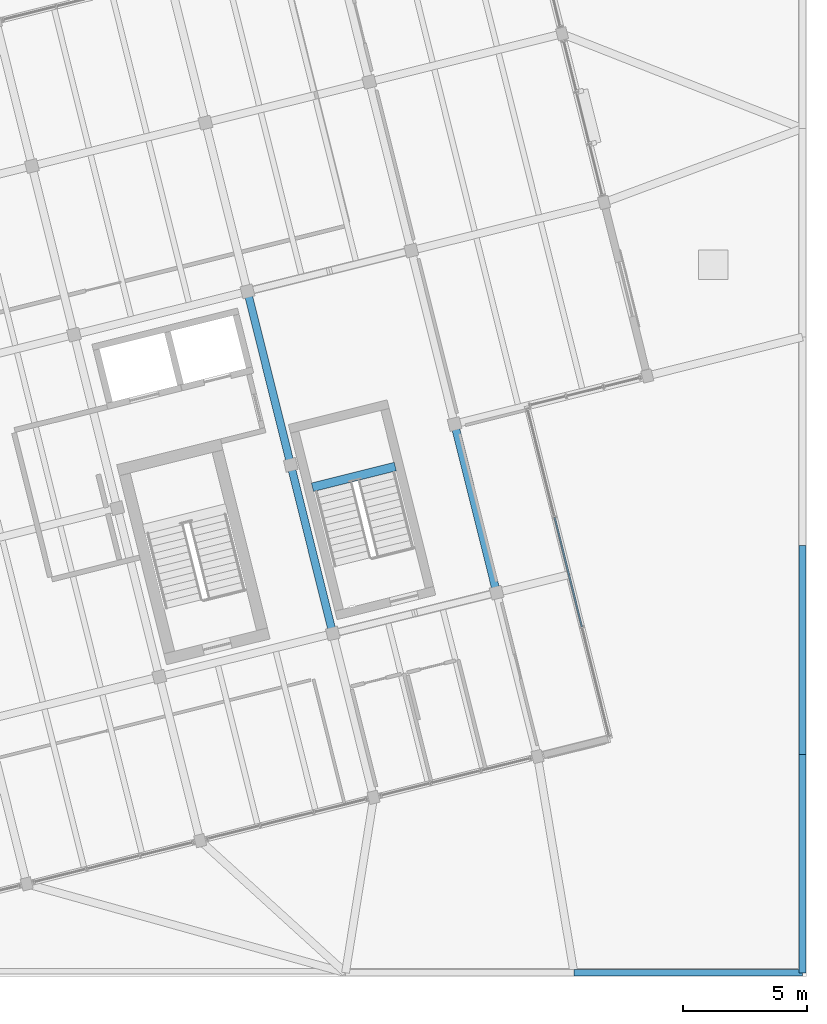
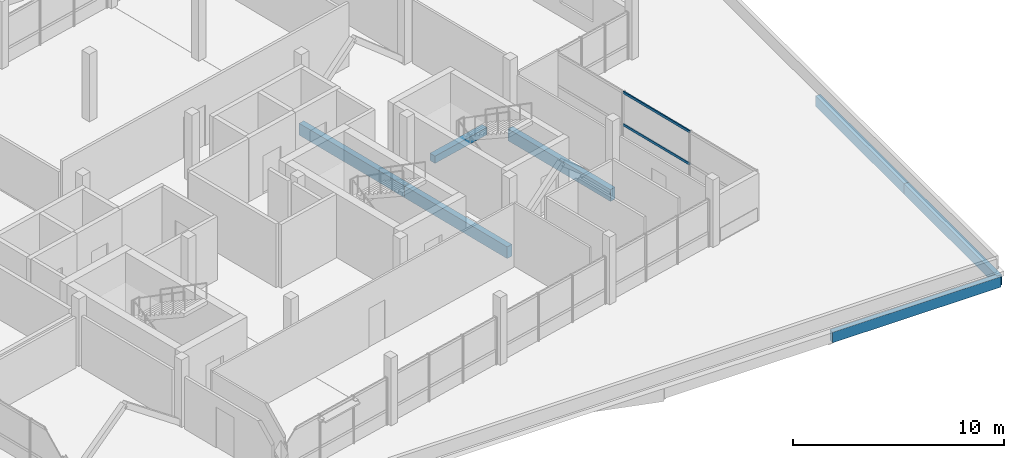
# One storey, part 15 of 37: 7 beams, 2 members, 1 element without a shape of its own.
"""IFC4 building model written with IfcOpenShell, lengths in metres."""

from ifc_helpers import new_model, si_unit, direction, frame, origin, origin_2d, place, context, subcontext, project, spatial, rectangle, hollow_rectangle, extrude, material, layer, layer_set, material_profile, profile_set, type_object, element, aggregate, save


model = new_model("IFC4")

# Units and contexts
model_context = context("Model", 3, precision=1e-05, world=origin(), true_north=direction((0.0, 1.0)))
body_context = subcontext(model_context, "Body", "Model", "MODEL_VIEW")
ifc_project = project(units=[si_unit("LENGTHUNIT", "METRE"), si_unit("AREAUNIT", "SQUARE_METRE"), si_unit("VOLUMEUNIT", "CUBIC_METRE"), si_unit("PLANEANGLEUNIT", "RADIAN"), si_unit("MASSUNIT", "GRAM", prefix="KILO")], contexts=[model_context])

# Site, building, storey
site_placement = place(None, origin())
site = spatial("IfcSite", under=ifc_project, at=site_placement, CompositionType="ELEMENT")
building_placement = place(site_placement, origin())
building = spatial("IfcBuilding", under=site, at=building_placement, Name="Meriwether Solvik Hall", CompositionType="ELEMENT")
storey_placement = place(building_placement, frame((0.0, 0.0, 26.10009765625)))
storey = spatial("IfcBuildingStorey", under=building, at=storey_placement, Name="L06", CompositionType="ELEMENT", Elevation=26.10009765625)

# Beams
ifc_material_1 = material(Name="Glulam Douglas-Fir 24F-V8 GL28h", Category="wood")
ifc_material_profile_1 = material_profile(ifc_material_1, rectangle(XDim=0.27294921875, YDim=0.610107421875, at=origin_2d()), Name="GLB-273X610")
ifc_profile_set_1 = profile_set([ifc_material_profile_1], Name="Glulam Douglas-Fir 24F-V8 GL28h")
beam_type_1 = type_object("IfcBeamType", Name="BM-GL-273X610", PredefinedType="SPANDREL", material=ifc_profile_set_1)
beam_1_placement = place(storey_placement, frame((105.0, 41.199951171875, -0.5751953125), z_axis=(1.0, 0.0, 0.0), x_axis=(0.0, 1.0, 0.0)))
element("IfcBeam", 1, at=beam_1_placement, inside=storey, type_object=beam_type_1, Name="Podium Girder E:12-13 (L06)", PredefinedType="SPANDREL", context=body_context, shape_type="SweptSolid", body=[
    extrude(rectangle(XDim=0.27294921875, YDim=0.610107421875, at=origin_2d()), origin(), (0.0, 0.0, 1.0), 9.199951171875),
])
beam_2_placement = place(storey_placement, frame((114.199951171875, 41.199951171875, -0.5751953125), z_axis=(0.0, 1.0, 0.0), x_axis=(-1.0, 0.0, 0.0)))
element("IfcBeam", 2, at=beam_2_placement, inside=storey, type_object=beam_type_1, Name="Podium Girder 13:E-F (L06)", PredefinedType="SPANDREL", context=body_context, shape_type="SweptSolid", body=[
    extrude(rectangle(XDim=0.27294921875, YDim=0.610107421875, at=origin_2d()), origin(), (0.0, 0.0, 1.0), 8.800048828125),
])
beam_3_placement = place(storey_placement, frame((114.199951171875, 50.0, -0.5751953125), z_axis=(0.0, 1.0, 0.0), x_axis=(-1.0, 0.0, 0.0)))
element("IfcBeam", 3, at=beam_3_placement, inside=storey, type_object=beam_type_1, Name="Podium Girder 13:F-G (L06)", PredefinedType="SPANDREL", context=body_context, shape_type="SweptSolid", body=[
    extrude(rectangle(XDim=0.27294921875, YDim=0.610107421875, at=origin_2d()), origin(), (0.0, 0.0, 1.0), 8.39990234375),
])
ifc_material_2 = material(Name="Glulam Douglas-Fir 24F-V8 GL28h", Category="wood")
ifc_material_profile_2 = material_profile(ifc_material_2, rectangle(XDim=0.31494140625, YDim=0.68505859375, at=origin_2d()), Name="GLB-315X685")
ifc_profile_set_2 = profile_set([ifc_material_profile_2], Name="Glulam Douglas-Fir 24F-V8 GL28h")
beam_type_2 = type_object("IfcBeamType", Name="BM-GL-315X685", PredefinedType="BEAM", material=ifc_profile_set_2)
beam_4_placement = place(storey_placement, frame((95.28759765625, 54.862060546875, -0.5625), z_axis=(-0.241936527961, 0.970292077901, 0.0), x_axis=(-0.970292077901, -0.241936527961, 0.0)))
element("IfcBeam", 4, at=beam_4_placement, inside=storey, type_object=beam_type_2, Name="Tower Girder T5:TB-TC (L06)", PredefinedType="BEAM", context=body_context, shape_type="SweptSolid", body=[
    extrude(rectangle(XDim=0.31494140625, YDim=0.68505859375, at=origin_2d()), origin(), (0.0, 0.0, 1.0), 7.000244140625),
])
beam_5_placement = place(storey_placement, frame((93.593994140625, 61.654296875, -0.5625), z_axis=(-0.241905269381, 0.970299871507, 0.0), x_axis=(-0.970299871507, -0.241905269381, 0.0)))
element("IfcBeam", 5, at=beam_5_placement, inside=storey, type_object=beam_type_2, Name="Tower Girder T5:TC-TD (L06)", PredefinedType="BEAM", context=body_context, shape_type="SweptSolid", body=[
    extrude(rectangle(XDim=0.31494140625, YDim=0.68505859375, at=origin_2d()), origin(), (0.0, 0.0, 1.0), 7.199951171875),
])
beam_6_placement = place(storey_placement, frame((101.885498046875, 56.507080078125, -0.5625), z_axis=(-0.241903692719, 0.970300264582, 0.0), x_axis=(-0.970300264582, -0.241903692719, 0.0)))
element("IfcBeam", 6, at=beam_6_placement, inside=storey, type_object=beam_type_2, Name="Tower Girder T6:TB-TC (L06)", PredefinedType="BEAM", context=body_context, shape_type="SweptSolid", body=[
    extrude(rectangle(XDim=0.31494140625, YDim=0.68505859375, at=origin_2d()), origin(), (0.0, 0.0, 1.0), 7.000244140625),
])
ifc_material_3 = material(Name="Concrete C40/50", Category="concrete")
ifc_material_profile_3 = material_profile(ifc_material_3, rectangle(XDim=0.35009765625, YDim=0.419921875, at=origin_2d()), Name="RCB-350X420")
ifc_profile_set_3 = profile_set([ifc_material_profile_3], Name="Concrete C40/50")
beam_type_3 = type_object("IfcBeamType", Name="BM-LND-RC-350X420", PredefinedType="BEAM", material=ifc_profile_set_3)
beam_7_placement = place(storey_placement, frame((94.4677734375, 60.75390625, 1.539794921875), z_axis=(0.970309259708, 0.2418676095, 0.0), x_axis=(-0.2418676095, 0.970309259708, 0.0)))
element("IfcBeam", 7, at=beam_7_placement, inside=storey, type_object=beam_type_3, Name="Stair ST-03 Half-Landing Header Beam (L06)", PredefinedType="BEAM", context=body_context, shape_type="SweptSolid", body=[
    extrude(rectangle(XDim=0.35009765625, YDim=0.419921875, at=origin_2d()), origin(), (0.0, 0.0, 1.0), 3.43994140625),
])

# Curtain wall, members
ifc_material_4 = material(Name="Thermally Broken Anodised Aluminium 6063-T6 and Low-E Glass", Category="aluminium")
ifc_layer = layer(ifc_material_4, 0.179931640625)
ifc_layer_set = layer_set([ifc_layer], Name="Thermally Broken Anodised Aluminium 6063-T6 and Low-E Glass")
curtain_wall_type = type_object("IfcCurtainWallType", Name="CW-UNIT-E", PredefinedType="USERDEFINED", material=ifc_layer_set)
curtain_wall_placement = place(storey_placement, origin())
curtain_wall = element("IfcCurtainWall", 8, at=curtain_wall_placement, inside=storey, type_object=curtain_wall_type, Name="Curtain Wall E1_B0 (L06)", ObjectType="UNITISED CURTAIN WALL", PredefinedType="USERDEFINED")
ifc_material_5 = material(Name="Anodised Aluminium 6063-T6", Category="aluminium")
ifc_material_profile_4 = material_profile(ifc_material_5, hollow_rectangle(XDim=0.06494140625, YDim=0.139892578125, WallThickness=0.00439453125, at=origin_2d()), Name="CWT-65X140")
ifc_profile_set_4 = profile_set([ifc_material_profile_4], Name="Anodised Aluminium 6063-T6")
member_type = type_object("IfcMemberType", Name="CW-TRN-65X140", PredefinedType="USERDEFINED", material=ifc_profile_set_4)
member_1_placement = place(storey_placement, frame((104.222412109375, 59.535888671875, 0.824951171875), z_axis=(0.241903847176, -0.970300226075, 0.0), x_axis=(0.970300226075, 0.241903847176, 0.0)))
member_1 = element("IfcMember", 9, at=member_1_placement, type_object=member_type, Name="Curtain Wall Transom 2-sill", ObjectType="TRANSOM", PredefinedType="USERDEFINED", context=body_context, shape_type="SweptSolid", body=[
    extrude(hollow_rectangle(XDim=0.06494140625, YDim=0.139892578125, WallThickness=0.00439453125, at=origin_2d()), origin(), (0.0, 0.0, 1.0), 4.546630859375),
])
member_2_placement = place(storey_placement, frame((104.222412109375, 59.535888671875, 2.68994140625), z_axis=(0.241903847176, -0.970300226075, 0.0), x_axis=(0.970300226075, 0.241903847176, 0.0)))
member_2 = element("IfcMember", 10, at=member_2_placement, type_object=member_type, Name="Curtain Wall Transom 2-head", ObjectType="TRANSOM", PredefinedType="USERDEFINED", context=body_context, shape_type="SweptSolid", body=[
    extrude(hollow_rectangle(XDim=0.06494140625, YDim=0.139892578125, WallThickness=0.00439453125, at=origin_2d()), origin(), (0.0, 0.0, 1.0), 4.546630859375),
])
aggregate(curtain_wall, [member_1, member_2])

save(model, "model.ifc")
